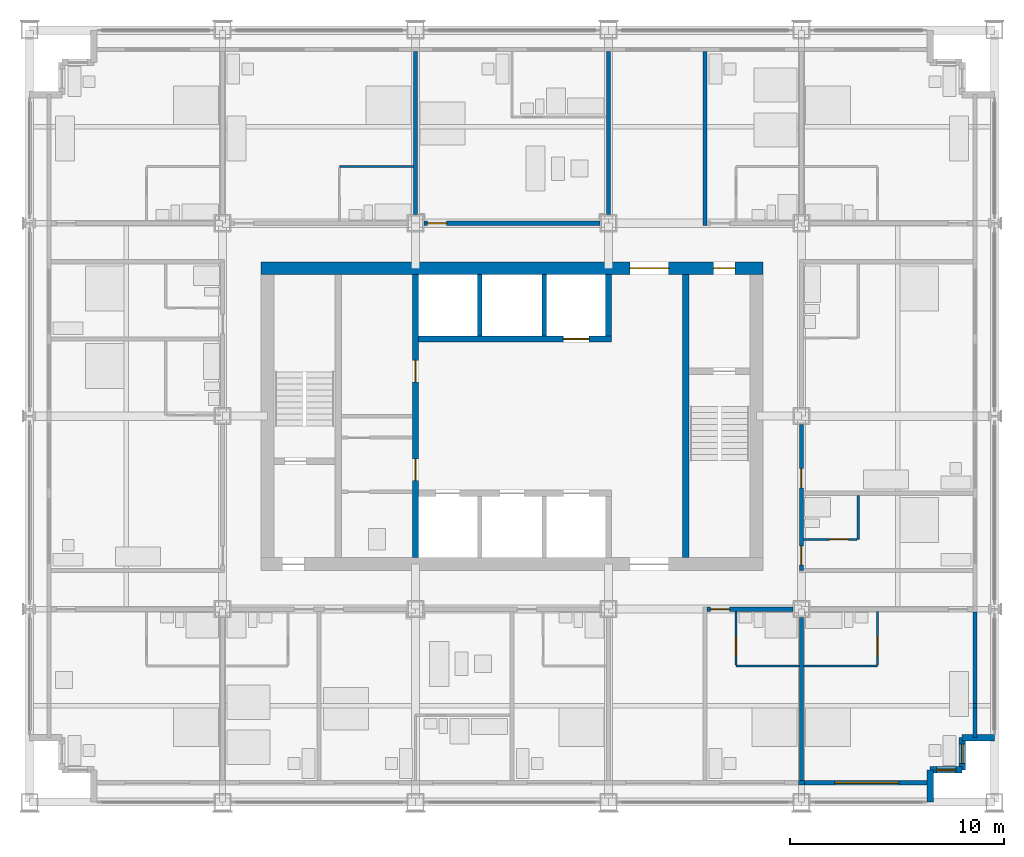
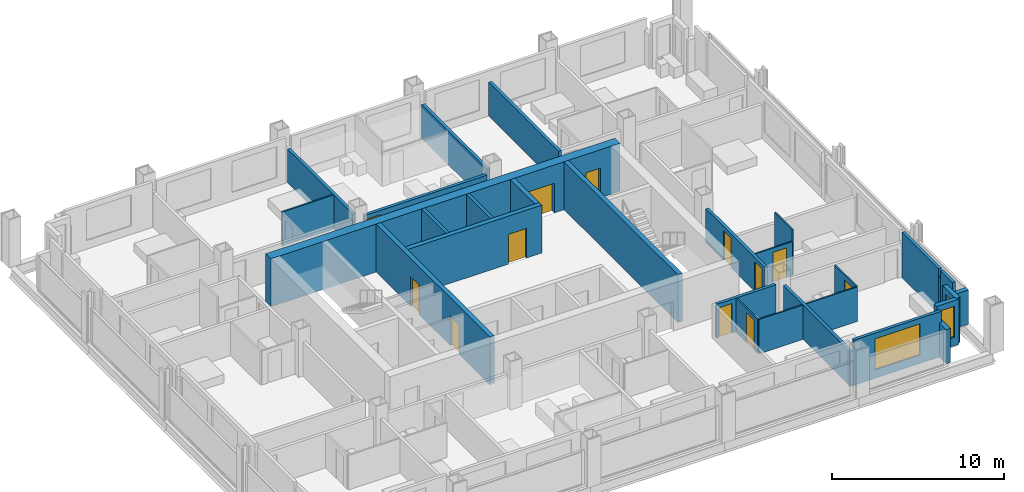
# One storey, part 11 of 16: 30 walls, 12 doors, 3 windows, 15 openings.
"""IFC4 building model written with IfcOpenShell, lengths in metres."""

from ifc_helpers import new_model, si_unit, direction, frame, frame_2d, origin, place, context, subcontext, project, spatial, rectangle, extrude, material, layer, layer_set, type_object, element, fill, save


model = new_model("IFC4")

# Units and contexts
model_context = context("Model", 3, precision=1e-05, world=origin(), true_north=direction((0.0, 1.0)))
body_context = subcontext(model_context, "Body", "Model", "MODEL_VIEW")
ifc_project = project(units=[si_unit("LENGTHUNIT", "METRE"), si_unit("AREAUNIT", "SQUARE_METRE"), si_unit("VOLUMEUNIT", "CUBIC_METRE"), si_unit("PLANEANGLEUNIT", "RADIAN"), si_unit("MASSUNIT", "GRAM", prefix="KILO")], contexts=[model_context])

# Site, building, storey
site_placement = place(None, origin())
site = spatial("IfcSite", under=ifc_project, at=site_placement, CompositionType="ELEMENT")
building_placement = place(site_placement, origin())
building = spatial("IfcBuilding", under=site, at=building_placement, Name="Loomwork Tower", CompositionType="ELEMENT")
storey_placement = place(building_placement, frame((0.0, 0.0, 124.800048828125)))
storey = spatial("IfcBuildingStorey", under=building, at=storey_placement, Name="L33", CompositionType="ELEMENT", Elevation=124.800048828125)

# Wall, openings, doors
ifc_material_1 = material(Name="Concrete 14000 psi (97 MPa)", Category="concrete")
ifc_layer_1 = layer(ifc_material_1, 0.300048828125)
ifc_layer_set_1 = layer_set([ifc_layer_1], Name="Core shear wall 300")
wall_type_1 = type_object("IfcWallType", Name="Core shear wall 300", PredefinedType="SHEAR", material=ifc_layer_set_1)
wall_1_placement = place(storey_placement, frame((18.0, 11.39990234375, 0.0), z_axis=(0.0, 0.0, 1.0), x_axis=(0.0, 1.0, 0.0)))
wall_1 = element("IfcWall", 1, at=wall_1_placement, inside=storey, type_object=wall_type_1, Name="Lobby west wall L33", PredefinedType="SHEAR", context=body_context, shape_type="SweptSolid", body=[
    extrude(rectangle(XDim=13.2001953125, YDim=0.300048828125, at=frame_2d((6.60009765625, 0.0))), origin(), (0.0, 0.0, 1.0), 3.39990234375),
])
opening_1_placement = place(wall_1_placement, frame((3.60009765625, 0.0, 0.0)))
opening_1 = element("IfcOpeningElement", 2, at=opening_1_placement, cuts=wall_1, Name="Opening D5", PredefinedType="OPENING", context=body_context, shape_type="SweptSolid", body=[
    extrude(rectangle(XDim=1.0, YDim=2.10009765625, at=frame_2d((0.5, 1.050048828125))), frame((0.0, 0.159912109375, 0.0), z_axis=(0.0, -1.0, 0.0), x_axis=(1.0, 0.0, 0.0)), (0.0, 0.0, 1.0), 0.320068359375),
])
opening_2_placement = place(wall_1_placement, frame((8.199951171875, 0.0, 0.0)))
opening_2 = element("IfcOpeningElement", 3, at=opening_2_placement, cuts=wall_1, Name="Opening D5", PredefinedType="OPENING", context=body_context, shape_type="SweptSolid", body=[
    extrude(rectangle(XDim=1.0, YDim=2.10009765625, at=frame_2d((0.5, 1.050048828125))), frame((0.0, 0.159912109375, 0.0), z_axis=(0.0, -1.0, 0.0), x_axis=(1.0, 0.0, 0.0)), (0.0, 0.0, 1.0), 0.320068359375),
])
ifc_material_2 = material(Name="Hollow metal door and frame")
door_type_1 = type_object("IfcDoorType", Name="Service door 1000", OperationType="SINGLE_SWING_LEFT", PredefinedType="DOOR", material=ifc_material_2)
door_1_placement = place(opening_1_placement, origin())
door_1 = element("IfcDoor", 4, at=door_1_placement, inside=storey, type_object=door_type_1, Name="Back-of-house door south", OperationType="SINGLE_SWING_LEFT", OverallHeight=2.10009765625, OverallWidth=1.0, PredefinedType="DOOR", context=body_context, shape_type="SweptSolid", body=[
    extrude(rectangle(XDim=1.0, YDim=2.10009765625, at=frame_2d((0.5, 1.050048828125))), frame((0.0, 0.02490234375, 0.0), z_axis=(0.0, -1.0, 0.0), x_axis=(1.0, 0.0, 0.0)), (0.0, 0.0, 1.0), 0.050048828125),
])
fill(opening_1, door_1)
door_2_placement = place(opening_2_placement, origin())
door_2 = element("IfcDoor", 5, at=door_2_placement, inside=storey, type_object=door_type_1, Name="Back-of-house door north", OperationType="SINGLE_SWING_RIGHT", OverallHeight=2.10009765625, OverallWidth=1.0, PredefinedType="DOOR", context=body_context, shape_type="SweptSolid", body=[
    extrude(rectangle(XDim=1.0, YDim=2.10009765625, at=frame_2d((0.5, 1.050048828125))), frame((0.0, 0.02490234375, 0.0), z_axis=(0.0, -1.0, 0.0), x_axis=(1.0, 0.0, 0.0)), (0.0, 0.0, 1.0), 0.050048828125),
])
fill(opening_2, door_2)

# Wall, opening, door
wall_2_placement = place(storey_placement, frame((18.14990234375, 21.60009765625, 0.0), z_axis=(0.0, 0.0, 1.0), x_axis=(1.0, 0.0, 0.0)))
wall_2 = element("IfcWall", 6, at=wall_2_placement, inside=storey, type_object=wall_type_1, Name="Lift front wall north L33", PredefinedType="SHEAR", context=body_context, shape_type="SweptSolid", body=[
    extrude(rectangle(XDim=9.0, YDim=0.300048828125, at=frame_2d((4.5, 0.0))), origin(), (0.0, 0.0, 1.0), 3.39990234375),
])
opening_3_placement = place(wall_2_placement, frame((6.75, 0.0, 0.0)))
opening_3 = element("IfcOpeningElement", 7, at=opening_3_placement, cuts=wall_2, Name="Opening LD2", PredefinedType="OPENING", context=body_context, shape_type="SweptSolid", body=[
    extrude(rectangle(XDim=1.199951171875, YDim=2.10009765625, at=frame_2d((0.60009765625, 1.050048828125))), frame((0.0, 0.159912109375, 0.0), z_axis=(0.0, -1.0, 0.0), x_axis=(1.0, 0.0, 0.0)), (0.0, 0.0, 1.0), 0.320068359375),
])
ifc_material_3 = material(Name="Hollow metal door and frame")
door_type_2 = type_object("IfcDoorType", Name="Lift landing door 1200", OperationType="SLIDING_TO_LEFT", PredefinedType="DOOR", material=ifc_material_3)
door_3_placement = place(opening_3_placement, origin())
door_3 = element("IfcDoor", 8, at=door_3_placement, inside=storey, type_object=door_type_2, Name="Lift landing door LF2", OperationType="SLIDING_TO_LEFT", OverallHeight=2.10009765625, OverallWidth=1.199951171875, PredefinedType="DOOR", context=body_context, shape_type="SweptSolid", body=[
    extrude(rectangle(XDim=1.199951171875, YDim=2.10009765625, at=frame_2d((0.60009765625, 1.050048828125))), frame((0.0, 0.02490234375, 0.0), z_axis=(0.0, -1.0, 0.0), x_axis=(1.0, 0.0, 0.0)), (0.0, 0.0, 1.0), 0.050048828125),
])
fill(opening_3, door_3)

# Walls
wall_3_placement = place(storey_placement, frame((27.0, 21.75, 0.0), z_axis=(0.0, 0.0, 1.0), x_axis=(0.0, 1.0, 0.0)))
element("IfcWall", 9, at=wall_3_placement, inside=storey, type_object=wall_type_1, Name="Lift shaft end wall north L33", PredefinedType="SHEAR", context=body_context, shape_type="SweptSolid", body=[
    extrude(rectangle(XDim=2.85009765625, YDim=0.300048828125, at=frame_2d((1.425048828125, 0.0))), origin(), (0.0, 0.0, 1.0), 3.39990234375),
])
wall_4_placement = place(storey_placement, frame((30.60009765625, 11.39990234375, 0.0), z_axis=(0.0, 0.0, 1.0), x_axis=(0.0, 1.0, 0.0)))
element("IfcWall", 10, at=wall_4_placement, inside=storey, type_object=wall_type_1, Name="Stair B west wall L33", PredefinedType="SHEAR", context=body_context, shape_type="SweptSolid", body=[
    extrude(rectangle(XDim=13.2001953125, YDim=0.300048828125, at=frame_2d((6.60009765625, 0.0))), origin(), (0.0, 0.0, 1.0), 3.39990234375),
])

# Wall, openings, doors
ifc_material_4 = material(Name="Concrete 14000 psi (97 MPa)", Category="concrete")
ifc_layer_2 = layer(ifc_material_4, 0.60009765625)
ifc_layer_set_2 = layer_set([ifc_layer_2], Name="Core shear wall 600")
wall_type_2 = type_object("IfcWallType", Name="Core shear wall 600", PredefinedType="SHEAR", material=ifc_layer_set_2)
wall_5_placement = place(storey_placement, frame((10.800048828125, 24.89990234375, 0.0), z_axis=(0.0, 0.0, 1.0), x_axis=(1.0, 0.0, 0.0)))
wall_5 = element("IfcWall", 11, at=wall_5_placement, inside=storey, type_object=wall_type_2, Name="Core wall north L33", PredefinedType="SHEAR", context=body_context, shape_type="SweptSolid", body=[
    extrude(rectangle(XDim=23.39990234375, YDim=0.60009765625, at=frame_2d((11.699951171875, 0.0))), origin(), (0.0, 0.0, 1.0), 3.39990234375),
])
opening_4_placement = place(wall_5_placement, frame((17.199951171875, 0.0, 0.0)))
opening_4 = element("IfcOpeningElement", 12, at=opening_4_placement, cuts=wall_5, Name="Opening D6", PredefinedType="OPENING", context=body_context, shape_type="SweptSolid", body=[
    extrude(rectangle(XDim=1.800048828125, YDim=2.10009765625, at=frame_2d((0.89990234375, 1.050048828125))), frame((0.0, 0.31005859375, 0.0), z_axis=(0.0, -1.0, 0.0), x_axis=(1.0, 0.0, 0.0)), (0.0, 0.0, 1.0), 0.6201171875),
])
opening_5_placement = place(wall_5_placement, frame((21.10009765625, 0.0, 0.0)))
opening_5 = element("IfcOpeningElement", 13, at=opening_5_placement, cuts=wall_5, Name="Opening D4", PredefinedType="OPENING", context=body_context, shape_type="SweptSolid", body=[
    extrude(rectangle(XDim=1.0, YDim=2.10009765625, at=frame_2d((0.5, 1.050048828125))), frame((0.0, 0.31005859375, 0.0), z_axis=(0.0, -1.0, 0.0), x_axis=(1.0, 0.0, 0.0)), (0.0, 0.0, 1.0), 0.6201171875),
])
ifc_material_5 = material(Name="Hollow metal door and frame")
door_type_3 = type_object("IfcDoorType", Name="Lobby passage double door 1800", OperationType="DOUBLE_DOOR_SINGLE_SWING", PredefinedType="DOOR", material=ifc_material_5)
door_4_placement = place(opening_4_placement, frame((1.800048828125, 0.0, 0.0), z_axis=(0.0, 0.0, 1.0), x_axis=(-1.0, 0.0, 0.0)))
door_4 = element("IfcDoor", 14, at=door_4_placement, inside=storey, type_object=door_type_3, Name="Lobby passage door north", OperationType="DOUBLE_DOOR_SINGLE_SWING", OverallHeight=2.10009765625, OverallWidth=1.800048828125, PredefinedType="DOOR", context=body_context, shape_type="SweptSolid", body=[
    extrude(rectangle(XDim=1.800048828125, YDim=2.10009765625, at=frame_2d((0.89990234375, 1.050048828125))), frame((0.0, 0.02490234375, 0.0), z_axis=(0.0, -1.0, 0.0), x_axis=(1.0, 0.0, 0.0)), (0.0, 0.0, 1.0), 0.050048828125),
])
fill(opening_4, door_4)
ifc_material_6 = material(Name="Hollow metal door and frame")
door_type_4 = type_object("IfcDoorType", Name="Stair door 1000", OperationType="SINGLE_SWING_RIGHT", PredefinedType="DOOR", material=ifc_material_6)
door_5_placement = place(opening_5_placement, frame((1.0, 0.0, 0.0), z_axis=(0.0, 0.0, 1.0), x_axis=(-1.0, 0.0, 0.0)))
door_5 = element("IfcDoor", 15, at=door_5_placement, inside=storey, type_object=door_type_4, Name="Stair B vestibule door", OperationType="SINGLE_SWING_LEFT", OverallHeight=2.10009765625, OverallWidth=1.0, PredefinedType="DOOR", context=body_context, shape_type="SweptSolid", body=[
    extrude(rectangle(XDim=1.0, YDim=2.10009765625, at=frame_2d((0.5, 1.050048828125))), frame((0.0, 0.02490234375, 0.0), z_axis=(0.0, -1.0, 0.0), x_axis=(1.0, 0.0, 0.0)), (0.0, 0.0, 1.0), 0.050048828125),
])
fill(opening_5, door_5)

# Wall, opening, door
ifc_material_7 = material(Name="Gypsum board on steel studs, one-hour", Category="steel")
ifc_layer_3 = layer(ifc_material_7, 0.199951171875)
ifc_layer_set_3 = layer_set([ifc_layer_3], Name="Corridor wall 200")
wall_type_3 = type_object("IfcWallType", Name="Corridor wall 200", PredefinedType="PARTITIONING", material=ifc_layer_set_3)
wall_6_placement = place(storey_placement, frame((31.60009765625, 9.0, 0.0), z_axis=(0.0, 0.0, 1.0), x_axis=(1.0, 0.0, 0.0)))
wall_6 = element("IfcWall", 16, at=wall_6_placement, inside=storey, type_object=wall_type_3, Name="South corridor wall 4", PredefinedType="PARTITIONING", context=body_context, shape_type="SweptSolid", body=[
    extrude(rectangle(XDim=4.0, YDim=0.199951171875, at=frame_2d((2.0, 0.0))), origin(), (0.0, 0.0, 1.0), 2.405029296875),
])
opening_6_placement = place(wall_6_placement, frame((0.14990234375, 0.0, 0.0)))
opening_6 = element("IfcOpeningElement", 17, at=opening_6_placement, cuts=wall_6, Name="Opening D1", PredefinedType="OPENING", context=body_context, shape_type="SweptSolid", body=[
    extrude(rectangle(XDim=0.89990234375, YDim=2.10009765625, at=frame_2d((0.449951171875, 1.050048828125))), frame((0.0, 0.10986328125, 0.0), z_axis=(0.0, -1.0, 0.0), x_axis=(1.0, 0.0, 0.0)), (0.0, 0.0, 1.0), 0.219970703125),
])
ifc_material_8 = material(Name="Hollow metal door and frame")
door_type_5 = type_object("IfcDoorType", Name="Guest room entry door 900", OperationType="SINGLE_SWING_LEFT", PredefinedType="DOOR", material=ifc_material_8)
door_6_placement = place(opening_6_placement, frame((0.89990234375, 0.0, 0.0), z_axis=(0.0, 0.0, 1.0), x_axis=(-1.0, 0.0, 0.0)))
door_6 = element("IfcDoor", 18, at=door_6_placement, inside=storey, type_object=door_type_5, Name="Guest room entry door L33 5", OperationType="SINGLE_SWING_RIGHT", OverallHeight=2.10009765625, OverallWidth=0.89990234375, PredefinedType="DOOR", context=body_context, shape_type="SweptSolid", body=[
    extrude(rectangle(XDim=0.89990234375, YDim=2.10009765625, at=frame_2d((0.449951171875, 1.050048828125))), frame((0.0, 0.02490234375, 0.0), z_axis=(0.0, -1.0, 0.0), x_axis=(1.0, 0.0, 0.0)), (0.0, 0.0, 1.0), 0.050048828125),
])
fill(opening_6, door_6)

wall_7_placement = place(storey_placement, frame((18.39990234375, 27.0, 0.0), z_axis=(0.0, 0.0, 1.0), x_axis=(1.0, 0.0, 0.0)))
wall_7 = element("IfcWall", 19, at=wall_7_placement, inside=storey, type_object=wall_type_3, Name="North corridor wall 3", PredefinedType="PARTITIONING", context=body_context, shape_type="SweptSolid", body=[
    extrude(rectangle(XDim=8.2001953125, YDim=0.199951171875, at=frame_2d((4.10009765625, 0.0))), origin(), (0.0, 0.0, 1.0), 2.405029296875),
])
opening_7_placement = place(wall_7_placement, frame((0.14990234375, 0.0, 0.0)))
opening_7 = element("IfcOpeningElement", 20, at=opening_7_placement, cuts=wall_7, Name="Opening D1", PredefinedType="OPENING", context=body_context, shape_type="SweptSolid", body=[
    extrude(rectangle(XDim=0.89990234375, YDim=2.10009765625, at=frame_2d((0.449951171875, 1.050048828125))), frame((0.0, 0.10986328125, 0.0), z_axis=(0.0, -1.0, 0.0), x_axis=(1.0, 0.0, 0.0)), (0.0, 0.0, 1.0), 0.219970703125),
])
door_7_placement = place(opening_7_placement, origin())
door_7 = element("IfcDoor", 21, at=door_7_placement, inside=storey, type_object=door_type_5, Name="Guest room entry door L33 9", OperationType="SINGLE_SWING_LEFT", OverallHeight=2.10009765625, OverallWidth=0.89990234375, PredefinedType="DOOR", context=body_context, shape_type="SweptSolid", body=[
    extrude(rectangle(XDim=0.89990234375, YDim=2.10009765625, at=frame_2d((0.449951171875, 1.050048828125))), frame((0.0, 0.02490234375, 0.0), z_axis=(0.0, -1.0, 0.0), x_axis=(1.0, 0.0, 0.0)), (0.0, 0.0, 1.0), 0.050048828125),
])
fill(opening_7, door_7)

# Wall, openings, doors
wall_8_placement = place(storey_placement, frame((36.0, 10.800048828125, 0.0), z_axis=(0.0, 0.0, 1.0), x_axis=(0.0, 1.0, 0.0)))
wall_8 = element("IfcWall", 22, at=wall_8_placement, inside=storey, type_object=wall_type_3, Name="East corridor wall 1", PredefinedType="PARTITIONING", context=body_context, shape_type="SweptSolid", body=[
    extrude(rectangle(XDim=6.800048828125, YDim=0.199951171875, at=frame_2d((3.39990234375, 0.0))), origin(), (0.0, 0.0, 1.0), 2.405029296875),
])
opening_8_placement = place(wall_8_placement, frame((0.25, 0.0, 0.0)))
opening_8 = element("IfcOpeningElement", 23, at=opening_8_placement, cuts=wall_8, Name="Opening D1", PredefinedType="OPENING", context=body_context, shape_type="SweptSolid", body=[
    extrude(rectangle(XDim=0.89990234375, YDim=2.10009765625, at=frame_2d((0.449951171875, 1.050048828125))), frame((0.0, 0.10986328125, 0.0), z_axis=(0.0, -1.0, 0.0), x_axis=(1.0, 0.0, 0.0)), (0.0, 0.0, 1.0), 0.219970703125),
])
opening_9_placement = place(wall_8_placement, frame((3.85009765625, 0.0, 0.0)))
opening_9 = element("IfcOpeningElement", 24, at=opening_9_placement, cuts=wall_8, Name="Opening D1", PredefinedType="OPENING", context=body_context, shape_type="SweptSolid", body=[
    extrude(rectangle(XDim=0.89990234375, YDim=2.10009765625, at=frame_2d((0.449951171875, 1.050048828125))), frame((0.0, 0.10986328125, 0.0), z_axis=(0.0, -1.0, 0.0), x_axis=(1.0, 0.0, 0.0)), (0.0, 0.0, 1.0), 0.219970703125),
])
door_8_placement = place(opening_8_placement, frame((0.89990234375, 0.0, 0.0), z_axis=(0.0, 0.0, 1.0), x_axis=(-1.0, 0.0, 0.0)))
door_8 = element("IfcDoor", 25, at=door_8_placement, inside=storey, type_object=door_type_5, Name="Guest room entry door L33 14", OperationType="SINGLE_SWING_RIGHT", OverallHeight=2.10009765625, OverallWidth=0.89990234375, PredefinedType="DOOR", context=body_context, shape_type="SweptSolid", body=[
    extrude(rectangle(XDim=0.89990234375, YDim=2.10009765625, at=frame_2d((0.449951171875, 1.050048828125))), frame((0.0, 0.02490234375, 0.0), z_axis=(0.0, -1.0, 0.0), x_axis=(1.0, 0.0, 0.0)), (0.0, 0.0, 1.0), 0.050048828125),
])
fill(opening_8, door_8)
door_9_placement = place(opening_9_placement, frame((0.89990234375, 0.0, 0.0), z_axis=(0.0, 0.0, 1.0), x_axis=(-1.0, 0.0, 0.0)))
door_9 = element("IfcDoor", 26, at=door_9_placement, inside=storey, type_object=door_type_5, Name="Guest room entry door L33 15", OperationType="SINGLE_SWING_RIGHT", OverallHeight=2.10009765625, OverallWidth=0.89990234375, PredefinedType="DOOR", context=body_context, shape_type="SweptSolid", body=[
    extrude(rectangle(XDim=0.89990234375, YDim=2.10009765625, at=frame_2d((0.449951171875, 1.050048828125))), frame((0.0, 0.02490234375, 0.0), z_axis=(0.0, -1.0, 0.0), x_axis=(1.0, 0.0, 0.0)), (0.0, 0.0, 1.0), 0.050048828125),
])
fill(opening_9, door_9)

# Wall
ifc_material_9 = material(Name="Cement board on steel studs", Category="steel")
ifc_layer_4 = layer(ifc_material_9, 0.10009765625)
ifc_layer_set_4 = layer_set([ifc_layer_4], Name="En-suite partition 100")
wall_type_4 = type_object("IfcWallType", Name="En-suite partition 100", PredefinedType="PARTITIONING", material=ifc_layer_set_4)
wall_9_placement = place(storey_placement, frame((32.949951171875, 6.35009765625, 0.0), z_axis=(0.0, 0.0, 1.0), x_axis=(1.0, 0.0, 0.0)))
element("IfcWall", 27, at=wall_9_placement, inside=storey, type_object=wall_type_4, Name="En-suite wall L33 room 5", PredefinedType="PARTITIONING", context=body_context, shape_type="SweptSolid", body=[
    extrude(rectangle(XDim=2.949951171875, YDim=0.10009765625, at=frame_2d((1.47509765625, 0.0))), origin(), (0.0, 0.0, 1.0), 2.43798828125),
])

# Wall, opening, door
wall_10_placement = place(storey_placement, frame((32.949951171875, 8.89990234375, 0.0), z_axis=(0.0, 0.0, 1.0), x_axis=(0.0, -1.0, 0.0)))
wall_10 = element("IfcWall", 28, at=wall_10_placement, inside=storey, type_object=wall_type_4, Name="En-suite side wall L33 room 5", PredefinedType="PARTITIONING", context=body_context, shape_type="SweptSolid", body=[
    extrude(rectangle(XDim=2.5, YDim=0.10009765625, at=frame_2d((1.25, 0.0))), origin(), (0.0, 0.0, 1.0), 2.404052734375),
])
opening_10_placement = place(wall_10_placement, frame((1.199951171875, 0.0, 0.0)))
opening_10 = element("IfcOpeningElement", 29, at=opening_10_placement, cuts=wall_10, Name="Opening D3", PredefinedType="OPENING", context=body_context, shape_type="SweptSolid", body=[
    extrude(rectangle(XDim=0.89990234375, YDim=2.10009765625, at=frame_2d((0.449951171875, 1.050048828125))), frame((0.0, 0.06005859375, 0.0), z_axis=(0.0, -1.0, 0.0), x_axis=(1.0, 0.0, 0.0)), (0.0, 0.0, 1.0), 0.1201171875),
])
ifc_material_10 = material(Name="Hollow metal door and frame")
door_type_6 = type_object("IfcDoorType", Name="Accessible en-suite door 900", OperationType="SLIDING_TO_LEFT", PredefinedType="DOOR", material=ifc_material_10)
door_10_placement = place(opening_10_placement, origin())
door_10 = element("IfcDoor", 30, at=door_10_placement, inside=storey, type_object=door_type_6, Name="Accessible en-suite door room 5", OperationType="SLIDING_TO_LEFT", OverallHeight=2.10009765625, OverallWidth=0.89990234375, PredefinedType="DOOR", context=body_context, shape_type="SweptSolid", body=[
    extrude(rectangle(XDim=0.89990234375, YDim=2.10009765625, at=frame_2d((0.449951171875, 1.050048828125))), frame((0.0, 0.02490234375, 0.0), z_axis=(0.0, -1.0, 0.0), x_axis=(1.0, 0.0, 0.0)), (0.0, 0.0, 1.0), 0.050048828125),
])
fill(opening_10, door_10)

# Wall
wall_11_placement = place(storey_placement, frame((36.10009765625, 6.35009765625, 0.0), z_axis=(0.0, 0.0, 1.0), x_axis=(1.0, 0.0, 0.0)))
element("IfcWall", 31, at=wall_11_placement, inside=storey, type_object=wall_type_4, Name="En-suite wall L33 room 6", PredefinedType="PARTITIONING", context=body_context, shape_type="SweptSolid", body=[
    extrude(rectangle(XDim=3.449951171875, YDim=0.10009765625, at=frame_2d((1.72509765625, 0.0))), origin(), (0.0, 0.0, 1.0), 2.43798828125),
])

# Wall, opening, door
wall_12_placement = place(storey_placement, frame((39.550048828125, 8.89990234375, 0.0), z_axis=(0.0, 0.0, 1.0), x_axis=(0.0, -1.0, 0.0)))
wall_12 = element("IfcWall", 32, at=wall_12_placement, inside=storey, type_object=wall_type_4, Name="En-suite side wall L33 room 6", PredefinedType="PARTITIONING", context=body_context, shape_type="SweptSolid", body=[
    extrude(rectangle(XDim=2.5, YDim=0.10009765625, at=frame_2d((1.25, 0.0))), origin(), (0.0, 0.0, 1.0), 2.43798828125),
])
opening_11_placement = place(wall_12_placement, frame((1.199951171875, 0.0, 0.0)))
opening_11 = element("IfcOpeningElement", 33, at=opening_11_placement, cuts=wall_12, Name="Opening D2", PredefinedType="OPENING", context=body_context, shape_type="SweptSolid", body=[
    extrude(rectangle(XDim=0.89990234375, YDim=2.10009765625, at=frame_2d((0.449951171875, 1.050048828125))), frame((0.0, 0.06005859375, 0.0), z_axis=(0.0, -1.0, 0.0), x_axis=(1.0, 0.0, 0.0)), (0.0, 0.0, 1.0), 0.1201171875),
])
ifc_material_11 = material(Name="Hollow metal door and frame")
door_type_7 = type_object("IfcDoorType", Name="En-suite door 900", OperationType="SINGLE_SWING_LEFT", PredefinedType="DOOR", material=ifc_material_11)
door_11_placement = place(opening_11_placement, frame((0.89990234375, 0.0, 0.0), z_axis=(0.0, 0.0, 1.0), x_axis=(-1.0, 0.0, 0.0)))
door_11 = element("IfcDoor", 34, at=door_11_placement, inside=storey, type_object=door_type_7, Name="En-suite door room 6", OperationType="SINGLE_SWING_LEFT", OverallHeight=2.10009765625, OverallWidth=0.89990234375, PredefinedType="DOOR", context=body_context, shape_type="SweptSolid", body=[
    extrude(rectangle(XDim=0.89990234375, YDim=2.10009765625, at=frame_2d((0.449951171875, 1.050048828125))), frame((0.0, 0.02490234375, 0.0), z_axis=(0.0, -1.0, 0.0), x_axis=(1.0, 0.0, 0.0)), (0.0, 0.0, 1.0), 0.050048828125),
])
fill(opening_11, door_11)

# Walls
wall_13_placement = place(storey_placement, frame((14.449951171875, 29.64990234375, 0.0), z_axis=(0.0, 0.0, 1.0), x_axis=(1.0, 0.0, 0.0)))
element("IfcWall", 35, at=wall_13_placement, inside=storey, type_object=wall_type_4, Name="En-suite wall L33 room 8", PredefinedType="PARTITIONING", context=body_context, shape_type="SweptSolid", body=[
    extrude(rectangle(XDim=3.449951171875, YDim=0.10009765625, at=frame_2d((1.72509765625, 0.0))), origin(), (0.0, 0.0, 1.0), 2.404052734375),
])
wall_14_placement = place(storey_placement, frame((38.64990234375, 12.25, 0.0), z_axis=(0.0, 0.0, 1.0), x_axis=(0.0, 1.0, 0.0)))
element("IfcWall", 36, at=wall_14_placement, inside=storey, type_object=wall_type_4, Name="En-suite wall L33 room 14", PredefinedType="PARTITIONING", context=body_context, shape_type="SweptSolid", body=[
    extrude(rectangle(XDim=2.050048828125, YDim=0.10009765625, at=frame_2d((1.02490234375, 0.0))), origin(), (0.0, 0.0, 1.0), 3.199951171875),
])

# Wall, opening, door
wall_15_placement = place(storey_placement, frame((36.10009765625, 12.25, 0.0), z_axis=(0.0, 0.0, 1.0), x_axis=(1.0, 0.0, 0.0)))
wall_15 = element("IfcWall", 37, at=wall_15_placement, inside=storey, type_object=wall_type_4, Name="En-suite side wall L33 room 14", PredefinedType="PARTITIONING", context=body_context, shape_type="SweptSolid", body=[
    extrude(rectangle(XDim=2.5, YDim=0.10009765625, at=frame_2d((1.25, 0.0))), origin(), (0.0, 0.0, 1.0), 2.404052734375),
])
opening_12_placement = place(wall_15_placement, frame((1.199951171875, 0.0, 0.0)))
opening_12 = element("IfcOpeningElement", 38, at=opening_12_placement, cuts=wall_15, Name="Opening D2", PredefinedType="OPENING", context=body_context, shape_type="SweptSolid", body=[
    extrude(rectangle(XDim=0.89990234375, YDim=2.10009765625, at=frame_2d((0.449951171875, 1.050048828125))), frame((0.0, 0.06005859375, 0.0), z_axis=(0.0, -1.0, 0.0), x_axis=(1.0, 0.0, 0.0)), (0.0, 0.0, 1.0), 0.1201171875),
])
door_12_placement = place(opening_12_placement, origin())
door_12 = element("IfcDoor", 39, at=door_12_placement, inside=storey, type_object=door_type_7, Name="En-suite door room 14", OperationType="SINGLE_SWING_RIGHT", OverallHeight=2.10009765625, OverallWidth=0.89990234375, PredefinedType="DOOR", context=body_context, shape_type="SweptSolid", body=[
    extrude(rectangle(XDim=0.89990234375, YDim=2.10009765625, at=frame_2d((0.449951171875, 1.050048828125))), frame((0.0, 0.02490234375, 0.0), z_axis=(0.0, -1.0, 0.0), x_axis=(1.0, 0.0, 0.0)), (0.0, 0.0, 1.0), 0.050048828125),
])
fill(opening_12, door_12)

# Walls
ifc_material_12 = material(Name="Gypsum board on steel studs, acoustic", Category="steel")
ifc_layer_5 = layer(ifc_material_12, 0.199951171875)
ifc_layer_set_5 = layer_set([ifc_layer_5], Name="Guest room party wall 200")
wall_type_5 = type_object("IfcWallType", Name="Guest room party wall 200", PredefinedType="PARTITIONING", material=ifc_layer_set_5)
wall_16_placement = place(storey_placement, frame((36.0, 8.60009765625, 0.0), z_axis=(0.0, 0.0, 1.0), x_axis=(0.0, -1.0, 0.0)))
element("IfcWall", 40, at=wall_16_placement, inside=storey, type_object=wall_type_5, Name="Guest room party wall S 36", PredefinedType="PARTITIONING", context=body_context, shape_type="SweptSolid", body=[
    extrude(rectangle(XDim=7.60009765625, YDim=0.199951171875, at=frame_2d((3.800048828125, 0.0))), origin(), (0.0, 0.0, 1.0), 2.43798828125),
])
for number, where, z_axis, x_axis, name in (
    (41, (18.0, 27.39990234375, 0.0), (0.0, 0.0, 1.0), (0.0, 1.0, 0.0), "Guest room party wall N 18"),
    (42, (27.0, 27.39990234375, 0.0), (0.0, 0.0, 1.0), (0.0, 1.0, 0.0), "Guest room party wall N 27"),
):
    element("IfcWall", number, at=place(storey_placement, frame(where, z_axis=z_axis, x_axis=x_axis)), inside=storey, type_object=wall_type_5, Name=name, PredefinedType="PARTITIONING", context=body_context, shape_type="SweptSolid", body=[
        extrude(rectangle(XDim=7.60009765625, YDim=0.199951171875, at=frame_2d((3.800048828125, 0.0))), origin(), (0.0, 0.0, 1.0), 2.405029296875),
    ])
wall_17_placement = place(storey_placement, frame((31.5, 26.89990234375, 0.0), z_axis=(0.0, 0.0, 1.0), x_axis=(0.0, 1.0, 0.0)))
element("IfcWall", 43, at=wall_17_placement, inside=storey, type_object=wall_type_5, Name="Guest room party wall N 31.5", PredefinedType="PARTITIONING", context=body_context, shape_type="SweptSolid", body=[
    extrude(rectangle(XDim=8.10009765625, YDim=0.199951171875, at=frame_2d((4.050048828125, 0.0))), origin(), (0.0, 0.0, 1.0), 2.404052734375),
])
ifc_material_13 = material(Name="Insulated steel stud wall with gypsum lining", Category="steel")
ifc_layer_6 = layer(ifc_material_13, 0.199951171875)
ifc_layer_set_6 = layer_set([ifc_layer_6], Name="Inner skin wall 200")
wall_type_6 = type_object("IfcWallType", Name="Inner skin wall 200", PredefinedType="SOLIDWALL", material=ifc_layer_set_6)
wall_18_placement = place(storey_placement, frame((44.10009765625, 3.0, 0.0), z_axis=(0.0, 0.0, 1.0), x_axis=(0.0, 1.0, 0.0)))
element("IfcWall", 44, at=wall_18_placement, inside=storey, type_object=wall_type_6, Name="Inner skin wall E", PredefinedType="SOLIDWALL", context=body_context, shape_type="SweptSolid", body=[
    extrude(rectangle(XDim=1.392578125, YDim=0.199951171875, at=frame_2d((0.6962890625, 0.0))), origin(), (0.0, 0.0, 1.0), 3.199951171875),
])
wall_19_placement = place(storey_placement, frame((35.864501953125, 0.89990234375, 0.0), z_axis=(0.0, 0.0, 1.0), x_axis=(1.0, 0.0, 0.0)))
element("IfcWall", 45, at=wall_19_placement, inside=storey, type_object=wall_type_6, Name="Inner skin wall S bay 8", PredefinedType="SOLIDWALL", context=body_context, shape_type="SweptSolid", body=[
    extrude(rectangle(XDim=0.27099609375, YDim=0.199951171875, at=frame_2d((0.135498046875, 0.0))), origin(), (0.0, 0.0, 1.0), 2.43798828125),
])

# Wall, opening, window
wall_20_placement = place(storey_placement, frame((36.135498046875, 0.89990234375, 0.0), z_axis=(0.0, 0.0, 1.0), x_axis=(1.0, 0.0, 0.0)))
wall_20 = element("IfcWall", 46, at=wall_20_placement, inside=storey, type_object=wall_type_6, Name="Inner skin wall S bay 9", PredefinedType="SOLIDWALL", context=body_context, shape_type="SweptSolid", body=[
    extrude(rectangle(XDim=5.864501953125, YDim=0.199951171875, at=frame_2d((2.93212890625, 0.0))), origin(), (0.0, 0.0, 1.0), 3.199951171875),
])
opening_13_placement = place(wall_20_placement, frame((1.41455078125, 0.0, 0.60009765625)))
opening_13 = element("IfcOpeningElement", 47, at=opening_13_placement, cuts=wall_20, Name="Opening CH1", PredefinedType="OPENING", context=body_context, shape_type="SweptSolid", body=[
    extrude(rectangle(XDim=3.0, YDim=2.199951171875, at=frame_2d((1.5, 1.10009765625))), frame((0.0, 0.10986328125, 0.0), z_axis=(0.0, -1.0, 0.0), x_axis=(1.0, 0.0, 0.0)), (0.0, 0.0, 1.0), 0.219970703125),
])
ifc_material_14 = material(Name="Aluminium frame with clear insulated glass", Category="aluminium")
window_type_1 = type_object("IfcWindowType", Name="Chicago window 3000", PartitioningType="TRIPLE_PANEL_VERTICAL", PredefinedType="WINDOW", material=ifc_material_14)
window_1_placement = place(opening_13_placement, origin())
window_1 = element("IfcWindow", 48, at=window_1_placement, inside=storey, type_object=window_type_1, Name="Chicago window L33 bay 5", OverallHeight=2.199951171875, OverallWidth=3.0, PartitioningType="TRIPLE_PANEL_VERTICAL", PredefinedType="WINDOW", context=body_context, shape_type="SweptSolid", body=[
    extrude(rectangle(XDim=3.0, YDim=2.199951171875, at=frame_2d((1.5, 1.10009765625))), frame((0.0, 0.030029296875, 0.0), z_axis=(0.0, -1.0, 0.0), x_axis=(1.0, 0.0, 0.0)), (0.0, 0.0, 1.0), 0.06005859375),
])
fill(opening_13, window_1)

# Walls
wall_21_placement = place(storey_placement, frame((44.10009765625, 4.392578125, 0.0), z_axis=(0.0, 0.0, 1.0), x_axis=(0.0, 1.0, 0.0)))
element("IfcWall", 49, at=wall_21_placement, inside=storey, type_object=wall_type_6, Name="Inner skin wall E bay 2", PredefinedType="SOLIDWALL", context=body_context, shape_type="SweptSolid", body=[
    extrude(rectangle(XDim=0.21484375, YDim=0.199951171875, at=frame_2d((0.107421875, 0.0))), origin(), (0.0, 0.0, 1.0), 2.660888671875),
])
wall_22_placement = place(storey_placement, frame((44.10009765625, 4.607421875, 0.0), z_axis=(0.0, 0.0, 1.0), x_axis=(0.0, 1.0, 0.0)))
element("IfcWall", 50, at=wall_22_placement, inside=storey, type_object=wall_type_6, Name="Inner skin wall E bay 3", PredefinedType="SOLIDWALL", context=body_context, shape_type="SweptSolid", body=[
    extrude(rectangle(XDim=4.25732421875, YDim=0.199951171875, at=frame_2d((2.128662109375, 0.0))), origin(), (0.0, 0.0, 1.0), 3.199951171875),
])
ifc_material_15 = material(Name="Concrete 14000 psi (97 MPa)", Category="concrete")
ifc_layer_7 = layer(ifc_material_15, 0.199951171875)
ifc_layer_set_7 = layer_set([ifc_layer_7], Name="Lift shaft wall 200")
wall_type_7 = type_object("IfcWallType", Name="Lift shaft wall 200", PredefinedType="SHEAR", material=ifc_layer_set_7)
for number, where, z_axis, x_axis, name in (
    (51, (21.0, 21.75, 0.0), (0.0, 0.0, 1.0), (0.0, 1.0, 0.0), "Lift shaft separation wall north 1 L33"),
    (52, (24.0, 21.75, 0.0), (0.0, 0.0, 1.0), (0.0, 1.0, 0.0), "Lift shaft separation wall north 2 L33"),
):
    element("IfcWall", number, at=place(storey_placement, frame(where, z_axis=z_axis, x_axis=x_axis)), inside=storey, type_object=wall_type_7, Name=name, PredefinedType="SHEAR", context=body_context, shape_type="SweptSolid", body=[
        extrude(rectangle(XDim=2.85009765625, YDim=0.199951171875, at=frame_2d((1.425048828125, 0.0))), origin(), (0.0, 0.0, 1.0), 3.39990234375),
    ])
ifc_material_16 = material(Name="Limestone on concrete masonry", Category="masonry")
ifc_layer_8 = layer(ifc_material_16, 0.300048828125)
ifc_layer_set_8 = layer_set([ifc_layer_8], Name="Limestone corner wall 300")
wall_type_8 = type_object("IfcWallType", Name="Limestone corner wall 300", PredefinedType="SOLIDWALL", material=ifc_layer_set_8)
wall_23_placement = place(storey_placement, frame((42.0, 0.0, 0.0), z_axis=(0.0, 0.0, 1.0), x_axis=(0.0, 1.0, 0.0)))
element("IfcWall", 53, at=wall_23_placement, inside=storey, type_object=wall_type_8, Name="Stone corner wall SE 1", PredefinedType="SOLIDWALL", context=body_context, shape_type="SweptSolid", body=[
    extrude(rectangle(XDim=1.5, YDim=0.300048828125, at=frame_2d((0.75, 0.0))), origin(), (0.0, 0.0, 1.0), 2.419921875),
])

# Wall, opening, window
wall_24_placement = place(storey_placement, frame((42.0, 1.5, 0.0), z_axis=(0.0, 0.0, 1.0), x_axis=(1.0, 0.0, 0.0)))
wall_24 = element("IfcWall", 54, at=wall_24_placement, inside=storey, type_object=wall_type_8, Name="Stone corner wall SE 2", PredefinedType="SOLIDWALL", context=body_context, shape_type="SweptSolid", body=[
    extrude(rectangle(XDim=1.5, YDim=0.300048828125, at=frame_2d((0.75, 0.0))), origin(), (0.0, 0.0, 1.0), 3.199951171875),
])
opening_14_placement = place(wall_24_placement, frame((0.300048828125, 0.0, 0.60009765625)))
opening_14 = element("IfcOpeningElement", 55, at=opening_14_placement, cuts=wall_24, Name="Opening CH2", PredefinedType="OPENING", context=body_context, shape_type="SweptSolid", body=[
    extrude(rectangle(XDim=0.89990234375, YDim=2.199951171875, at=frame_2d((0.449951171875, 1.10009765625))), frame((0.0, 0.159912109375, 0.0), z_axis=(0.0, -1.0, 0.0), x_axis=(1.0, 0.0, 0.0)), (0.0, 0.0, 1.0), 0.320068359375),
])
ifc_material_17 = material(Name="Aluminium frame with clear insulated glass", Category="aluminium")
window_type_2 = type_object("IfcWindowType", Name="Corner window 900", PartitioningType="SINGLE_PANEL", PredefinedType="WINDOW", material=ifc_material_17)
window_2_placement = place(opening_14_placement, origin())
window_2 = element("IfcWindow", 56, at=window_2_placement, inside=storey, type_object=window_type_2, Name="Corner window SE", OverallHeight=2.199951171875, OverallWidth=0.89990234375, PartitioningType="SINGLE_PANEL", PredefinedType="WINDOW", context=body_context, shape_type="SweptSolid", body=[
    extrude(rectangle(XDim=0.89990234375, YDim=2.199951171875, at=frame_2d((0.449951171875, 1.10009765625))), frame((0.0, 0.030029296875, 0.0), z_axis=(0.0, -1.0, 0.0), x_axis=(1.0, 0.0, 0.0)), (0.0, 0.0, 1.0), 0.06005859375),
])
fill(opening_14, window_2)

wall_25_placement = place(storey_placement, frame((43.5, 1.5, 0.0), z_axis=(0.0, 0.0, 1.0), x_axis=(0.0, 1.0, 0.0)))
wall_25 = element("IfcWall", 57, at=wall_25_placement, inside=storey, type_object=wall_type_8, Name="Stone corner wall SE 3", PredefinedType="SOLIDWALL", context=body_context, shape_type="SweptSolid", body=[
    extrude(rectangle(XDim=1.5, YDim=0.300048828125, at=frame_2d((0.75, 0.0))), origin(), (0.0, 0.0, 1.0), 3.199951171875),
])
opening_15_placement = place(wall_25_placement, frame((0.300048828125, 0.0, 0.60009765625)))
opening_15 = element("IfcOpeningElement", 58, at=opening_15_placement, cuts=wall_25, Name="Opening CH2", PredefinedType="OPENING", context=body_context, shape_type="SweptSolid", body=[
    extrude(rectangle(XDim=0.89990234375, YDim=2.199951171875, at=frame_2d((0.449951171875, 1.10009765625))), frame((0.0, 0.159912109375, 0.0), z_axis=(0.0, -1.0, 0.0), x_axis=(1.0, 0.0, 0.0)), (0.0, 0.0, 1.0), 0.320068359375),
])
window_3_placement = place(opening_15_placement, origin())
window_3 = element("IfcWindow", 59, at=window_3_placement, inside=storey, type_object=window_type_2, Name="Corner window SE", OverallHeight=2.199951171875, OverallWidth=0.89990234375, PartitioningType="SINGLE_PANEL", PredefinedType="WINDOW", context=body_context, shape_type="SweptSolid", body=[
    extrude(rectangle(XDim=0.89990234375, YDim=2.199951171875, at=frame_2d((0.449951171875, 1.10009765625))), frame((0.0, 0.030029296875, 0.0), z_axis=(0.0, -1.0, 0.0), x_axis=(1.0, 0.0, 0.0)), (0.0, 0.0, 1.0), 0.06005859375),
])
fill(opening_15, window_3)

# Wall
wall_26_placement = place(storey_placement, frame((43.5, 3.0, 0.0), z_axis=(0.0, 0.0, 1.0), x_axis=(1.0, 0.0, 0.0)))
element("IfcWall", 60, at=wall_26_placement, inside=storey, type_object=wall_type_8, Name="Stone corner wall SE 4", PredefinedType="SOLIDWALL", context=body_context, shape_type="SweptSolid", body=[
    extrude(rectangle(XDim=1.5, YDim=0.300048828125, at=frame_2d((0.75, 0.0))), origin(), (0.0, 0.0, 1.0), 2.419921875),
])

save(model, "model.ifc")
